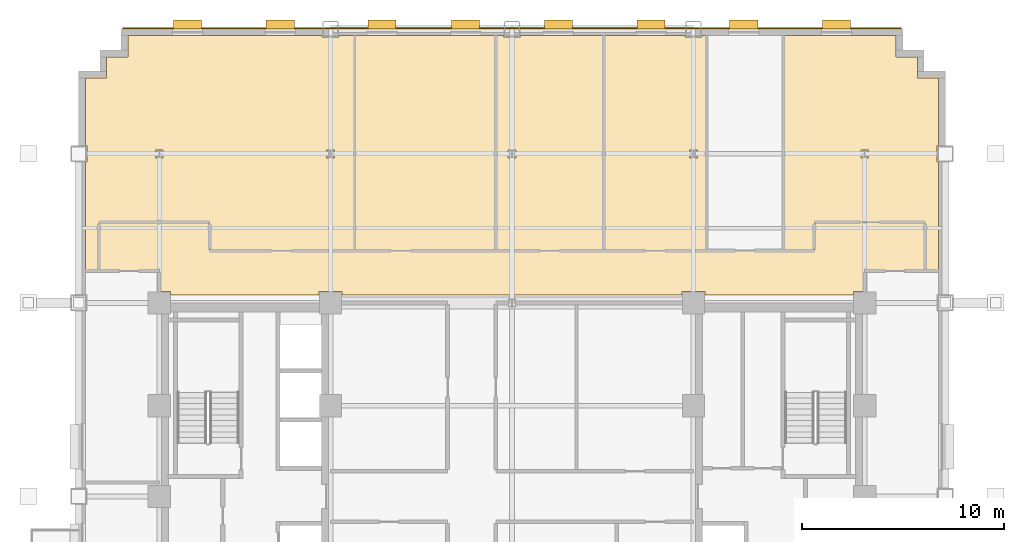
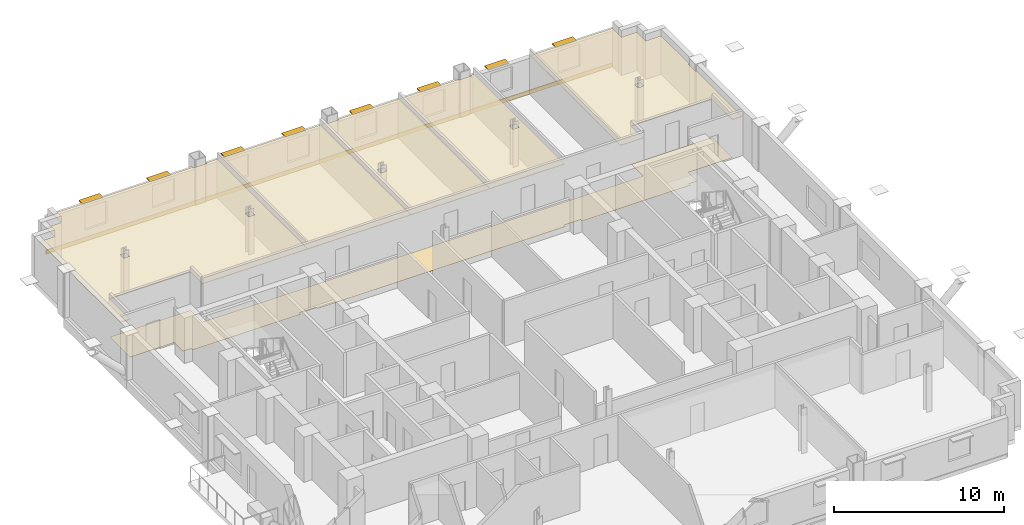
# One storey, part 13 of 13: 8 shading devices, 7 coverings.
"""IFC4 building model written with IfcOpenShell, lengths in metres."""

from ifc_helpers import new_model, si_unit, direction, frame, origin, origin_2d, place, context, subcontext, project, spatial, polyline, rectangle, outline, extrude, source, transform, mapped, material, layer, layer_set, type_object, type_shapes, element, save


model = new_model("IFC4")

# Units and contexts
model_context = context("Model", 3, precision=1e-05, world=origin(), true_north=direction((0.0, 1.0)))
body_context = subcontext(model_context, "Body", "Model", "MODEL_VIEW")
ifc_project = project(units=[si_unit("LENGTHUNIT", "METRE"), si_unit("AREAUNIT", "SQUARE_METRE"), si_unit("VOLUMEUNIT", "CUBIC_METRE"), si_unit("PLANEANGLEUNIT", "RADIAN"), si_unit("MASSUNIT", "GRAM", prefix="KILO")], contexts=[model_context])

# Site, building, storey
site_placement = place(None, origin())
site = spatial("IfcSite", under=ifc_project, at=site_placement, CompositionType="ELEMENT")
building_placement = place(site_placement, origin())
building = spatial("IfcBuilding", under=site, at=building_placement, Name="Nuvemarco Arch Tower", CompositionType="ELEMENT")
storey_placement = place(building_placement, frame((0.0, 0.0, 82.35009765625)))
storey = spatial("IfcBuildingStorey", under=building, at=storey_placement, Name="L21", CompositionType="ELEMENT", Elevation=82.35009765625)

# Coverings
ifc_material_1 = material(Name="Mineral acoustic ceiling tile")
ifc_layer_1 = layer(ifc_material_1, 0.0400390625, Name="COV-ACOUSTIC-CLG")
ifc_layer_set_1 = layer_set([ifc_layer_1], Name="Mineral acoustic ceiling tile")
covering_type_1 = type_object("IfcCoveringType", Name="COV-ACOUSTIC-CLG", PredefinedType="CEILING", material=ifc_layer_set_1)
covering_1_placement = place(storey_placement, frame((0.0, 0.0, 2.72998046875)))
element("IfcCovering", 1, at=covering_1_placement, inside=storey, type_object=covering_type_1, Name="L21 suspended acoustic ceiling 1", PredefinedType="CEILING", context=body_context, shape_type="SweptSolid", body=[
    extrude(outline(polyline([(-21.159912109375, 11.199951171875), (-21.159912109375, 16.5849609375), (-21.0849609375, 16.5849609375), (-21.0849609375, 17.4150390625), (-21.159912109375, 17.4150390625), (-21.159912109375, 20.760009765625), (-20.110107421875, 20.760009765625), (-20.110107421875, 21.81005859375), (-19.06005859375, 21.81005859375), (-19.06005859375, 22.860107421875), (-9.4150390625, 22.860107421875), (-9.4150390625, 22.784912109375), (-8.5849609375, 22.784912109375), (-8.5849609375, 22.860107421875), (-7.840087890625, 22.860107421875), (-7.840087890625, 12.199951171875), (-15.0, 12.199951171875), (-15.0, 13.60009765625), (-20.5, 13.60009765625), (-20.5, 11.199951171875), (-21.159912109375, 11.199951171875)]), holes=[polyline([(-17.304931640625, 16.804931640625), (-17.304931640625, 17.195068359375), (-17.695068359375, 17.195068359375), (-17.695068359375, 16.804931640625), (-17.304931640625, 16.804931640625)]), polyline([(-8.804931640625, 16.804931640625), (-8.804931640625, 17.195068359375), (-9.195068359375, 17.195068359375), (-9.195068359375, 16.804931640625), (-8.804931640625, 16.804931640625)])]), origin(), (0.0, 0.0, 1.0), 0.0400390625),
])
covering_2_placement = place(storey_placement, frame((0.0, 0.0, 2.72998046875)))
element("IfcCovering", 2, at=covering_2_placement, inside=storey, type_object=covering_type_1, Name="L21 suspended acoustic ceiling 5", PredefinedType="CEILING", context=body_context, shape_type="SweptSolid", body=[
    extrude(outline(polyline([(-0.800048828125, 12.199951171875), (-3.199951171875, 12.199951171875), (-7.840087890625, 12.199951171875), (-7.840087890625, 22.860107421875), (-0.800048828125, 22.860107421875), (-0.800048828125, 12.199951171875)])), origin(), (0.0, 0.0, 1.0), 0.0400390625),
])
covering_3_placement = place(storey_placement, frame((0.0, 0.0, 2.72998046875)))
element("IfcCovering", 3, at=covering_3_placement, inside=storey, type_object=covering_type_1, Name="L21 suspended acoustic ceiling 6", PredefinedType="CEILING", context=body_context, shape_type="SweptSolid", body=[
    extrude(outline(polyline([(21.159912109375, 20.760009765625), (21.159912109375, 17.4150390625), (21.0849609375, 17.4150390625), (21.0849609375, 16.5849609375), (21.159912109375, 16.5849609375), (21.159912109375, 11.199951171875), (20.5, 11.199951171875), (20.5, 13.60009765625), (15.0, 13.60009765625), (15.0, 12.199951171875), (13.469970703125, 12.199951171875), (13.469970703125, 22.860107421875), (19.06005859375, 22.860107421875), (19.06005859375, 21.81005859375), (20.110107421875, 21.81005859375), (20.110107421875, 20.760009765625), (21.159912109375, 20.760009765625)]), holes=[polyline([(17.695068359375, 16.804931640625), (17.695068359375, 17.195068359375), (17.304931640625, 17.195068359375), (17.304931640625, 16.804931640625), (17.695068359375, 16.804931640625)])]), origin(), (0.0, 0.0, 1.0), 0.0400390625),
])
covering_4_placement = place(storey_placement, frame((0.0, 0.0, 2.72998046875)))
element("IfcCovering", 4, at=covering_4_placement, inside=storey, type_object=covering_type_1, Name="L21 suspended acoustic ceiling 7", PredefinedType="CEILING", context=body_context, shape_type="SweptSolid", body=[
    extrude(outline(polyline([(4.550048828125, 12.199951171875), (-0.800048828125, 12.199951171875), (-0.800048828125, 22.860107421875), (-0.4150390625, 22.860107421875), (-0.4150390625, 22.784912109375), (0.4150390625, 22.784912109375), (0.4150390625, 22.860107421875), (4.550048828125, 22.860107421875), (4.550048828125, 12.199951171875)]), holes=[polyline([(0.195068359375, 16.804931640625), (0.195068359375, 17.195068359375), (-0.195068359375, 17.195068359375), (-0.195068359375, 16.804931640625), (0.195068359375, 16.804931640625)])]), origin(), (0.0, 0.0, 1.0), 0.0400390625),
])
covering_5_placement = place(storey_placement, frame((0.0, 0.0, 2.72998046875)))
element("IfcCovering", 5, at=covering_5_placement, inside=storey, type_object=covering_type_1, Name="L21 suspended acoustic ceiling 8", PredefinedType="CEILING", context=body_context, shape_type="SweptSolid", body=[
    extrude(outline(polyline([(9.64990234375, 12.199951171875), (4.550048828125, 12.199951171875), (4.550048828125, 22.860107421875), (8.5849609375, 22.860107421875), (8.5849609375, 22.784912109375), (9.4150390625, 22.784912109375), (9.4150390625, 22.860107421875), (9.64990234375, 22.860107421875), (9.64990234375, 12.199951171875)]), holes=[polyline([(9.195068359375, 17.195068359375), (8.804931640625, 17.195068359375), (8.804931640625, 16.804931640625), (9.195068359375, 16.804931640625), (9.195068359375, 17.195068359375)])]), origin(), (0.0, 0.0, 1.0), 0.0400390625),
])
ifc_material_2 = material(Name="Polished granite terrazzostone flooring", Category="masonry")
ifc_layer_2 = layer(ifc_material_2, 0.02001953125, Name="COV-LOBBY-FLR")
ifc_layer_set_2 = layer_set([ifc_layer_2], Name="Polished granite terrazzostone flooring")
covering_type_2 = type_object("IfcCoveringType", Name="COV-LOBBY-FLR", PredefinedType="FLOORING", material=ifc_layer_set_2)
covering_6_placement = place(storey_placement, origin())
element("IfcCovering", 6, at=covering_6_placement, inside=storey, type_object=covering_type_2, Name="L21 polished terrazzo lobby flooring", PredefinedType="FLOORING", context=body_context, shape_type="SweptSolid", body=[
    extrude(outline(polyline([(-8.43505859375, 10.1650390625), (-9.56494140625, 10.1650390625), (-9.56494140625, 10.0), (-16.93505859375, 10.0), (-16.93505859375, 10.1650390625), (-17.5, 10.1650390625), (-17.5, 11.199951171875), (-20.5, 11.199951171875), (-20.5, 13.60009765625), (-15.0, 13.60009765625), (-15.0, 12.199951171875), (-3.199951171875, 12.199951171875), (-0.800048828125, 12.199951171875), (15.0, 12.199951171875), (15.0, 13.60009765625), (20.5, 13.60009765625), (20.5, 11.199951171875), (17.5, 11.199951171875), (17.5, 10.1650390625), (16.93505859375, 10.1650390625), (16.93505859375, 10.0), (9.56494140625, 10.0), (9.56494140625, 10.1650390625), (8.43505859375, 10.1650390625), (8.43505859375, 10.0), (-8.43505859375, 10.0), (-8.43505859375, 10.1650390625)])), origin(), (0.0, 0.0, 1.0), 0.02001953125),
])

# Shading devices
ifc_material_3 = material(Name="Anodised aluminium 6063-T6", Category="aluminium")
shading_device_type = type_object("IfcShadingDeviceType", Name="SHD-BRISE-NARROW", PredefinedType="USERDEFINED", material=ifc_material_3)
shared_shape_1 = source(origin(), body_context, "Body", "SweptSolid", [
    extrude(rectangle(XDim=1.39990234375, YDim=0.449951171875, at=origin_2d()), origin(), (0.0, 0.0, 1.0), 0.080078125),
])
type_shapes(shading_device_type, [shared_shape_1])
for number, where, z_axis, x_axis, name in (
    (7, (-16.10009765625, 23.4150390625, 2.40478515625), (0.0, 0.0, 1.0), (1.0, 0.0, 0.0), "L21 horizontal brise-soleil sunshade"),
    (8, (-11.5, 23.4150390625, 2.40478515625), (0.0, 0.0, 1.0), (1.0, 0.0, 0.0), "L21 horizontal brise-soleil sunshade"),
    (9, (-6.449951171875, 23.4150390625, 2.40478515625), (0.0, 0.0, 1.0), (1.0, 0.0, 0.0), "L21 horizontal brise-soleil sunshade"),
    (10, (-2.300048828125, 23.4150390625, 2.40478515625), (0.0, 0.0, 1.0), (1.0, 0.0, 0.0), "L21 horizontal brise-soleil sunshade"),
    (11, (2.300048828125, 23.4150390625, 2.40478515625), (0.0, 0.0, 1.0), (1.0, 0.0, 0.0), "L21 horizontal brise-soleil sunshade"),
    (12, (6.89990234375, 23.4150390625, 2.40478515625), (0.0, 0.0, 1.0), (1.0, 0.0, 0.0), "L21 horizontal brise-soleil sunshade"),
    (13, (11.5, 23.4150390625, 2.40478515625), (0.0, 0.0, 1.0), (1.0, 0.0, 0.0), "L21 horizontal brise-soleil sunshade"),
    (14, (16.10009765625, 23.4150390625, 2.40478515625), (0.0, 0.0, 1.0), (1.0, 0.0, 0.0), "L21 horizontal brise-soleil sunshade"),
):
    element("IfcShadingDevice", number, at=place(storey_placement, frame(where, z_axis=z_axis, x_axis=x_axis)), inside=storey, type_object=shading_device_type, Name=name, ObjectType="SUNSHADE", PredefinedType="USERDEFINED", context=body_context, shape_type="MappedRepresentation", body=[
        mapped(shared_shape_1, transform((0.0, 0.0, 0.0), scale=1.0)),
    ])

# Covering
ifc_material_4 = material(Name="Precast concrete C45/55", Category="concrete")
ifc_layer_3 = layer(ifc_material_4, 0.06005859375, Name="COV-SPANDREL-CLAD")
ifc_layer_set_3 = layer_set([ifc_layer_3], Name="Precast concrete C45/55")
covering_type_3 = type_object("IfcCoveringType", Name="COV-SPANDREL-CLAD", PredefinedType="CLADDING", material=ifc_layer_set_3)
shared_shape_2 = source(origin(), body_context, "Body", "SweptSolid", [
    extrude(rectangle(XDim=38.60009765625, YDim=0.06005859375, at=origin_2d()), origin(), (0.0, 0.0, 1.0), 0.280029296875),
])
type_shapes(covering_type_3, [shared_shape_2])
covering_7_placement = place(storey_placement, frame((0.0, 23.22900390625, -0.2802734375), z_axis=(0.0, 0.0, 1.0), x_axis=(1.0, 0.0, 0.0)))
element("IfcCovering", 15, at=covering_7_placement, inside=storey, type_object=covering_type_3, Name="L21 precast spandrel edge cladding north", PredefinedType="CLADDING", context=body_context, shape_type="MappedRepresentation", body=[
    mapped(shared_shape_2, transform((0.0, 0.0, 0.0), scale=1.0)),
])

save(model, "model.ifc")
